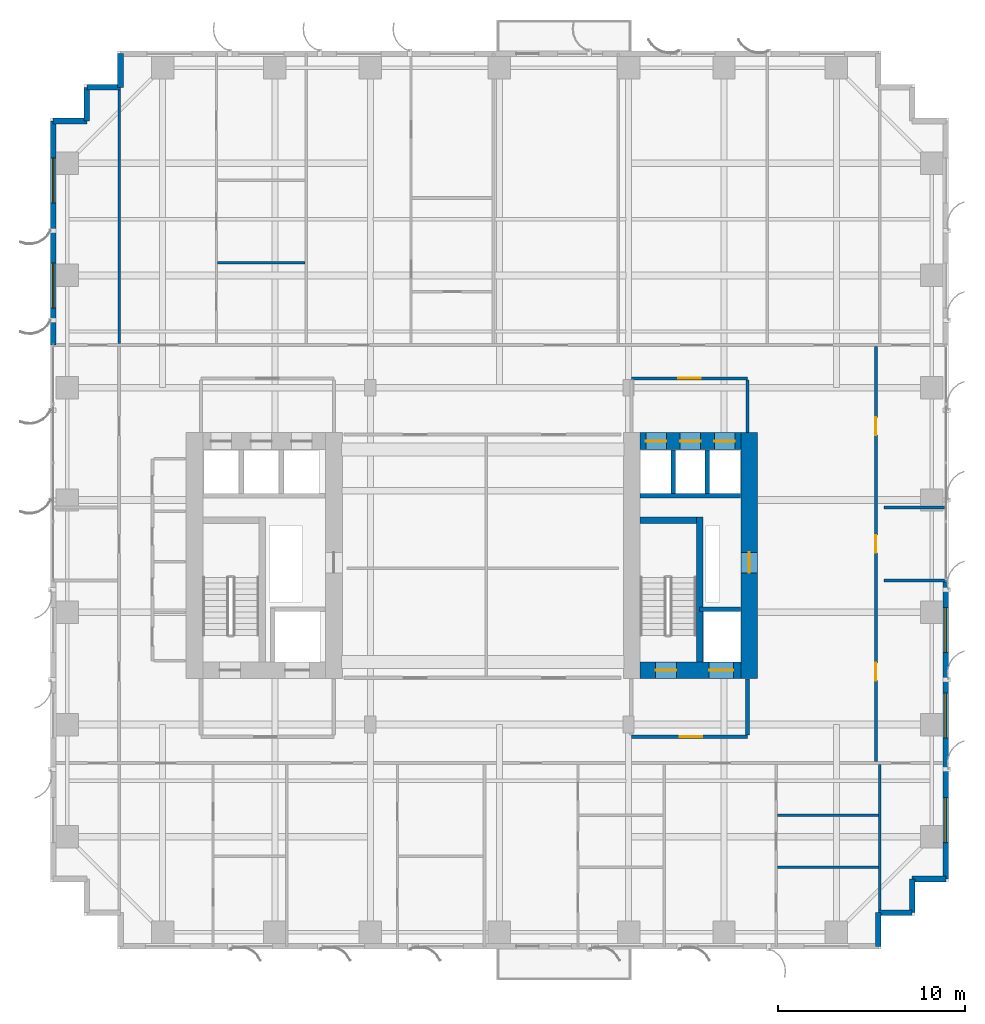
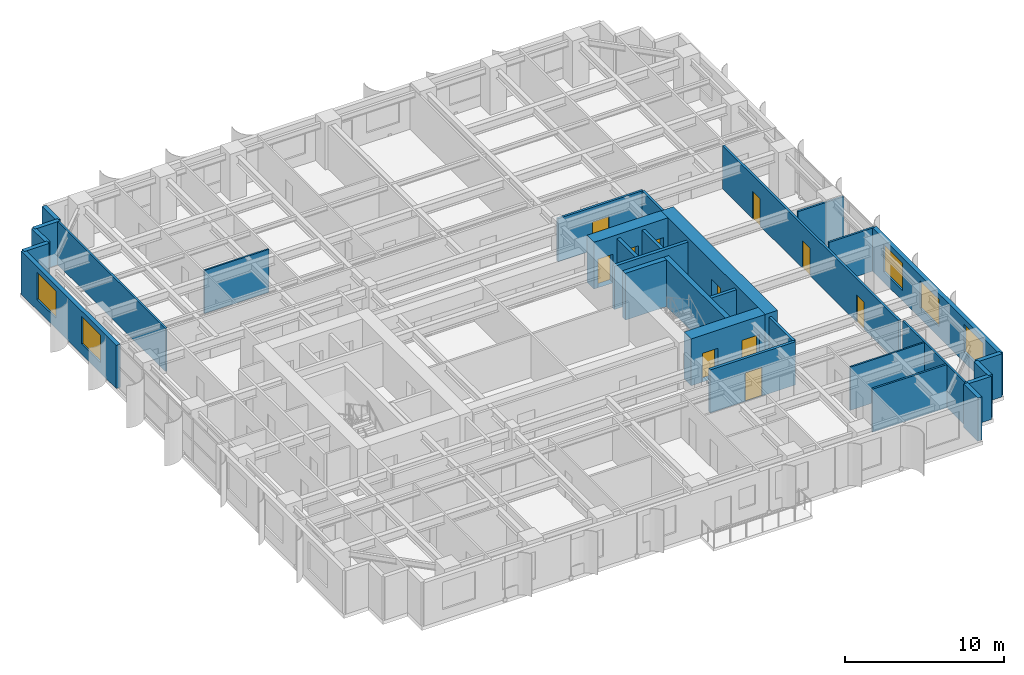
# One storey, part 11 of 17: 31 walls, 11 doors, 5 windows, 16 openings.
"""IFC4 building model written with IfcOpenShell, lengths in metres."""

from ifc_helpers import new_model, si_unit, direction, frame, frame_2d, origin, place, context, subcontext, project, spatial, rectangle, extrude, source, transform, mapped, material, layer, layer_set, type_object, element, fill, save


model = new_model("IFC4")

# Units and contexts
model_context = context("Model", 3, precision=1e-05, world=origin(), true_north=direction((0.0, 1.0)))
body_context = subcontext(model_context, "Body", "Model", "MODEL_VIEW")
ifc_project = project(units=[si_unit("LENGTHUNIT", "METRE"), si_unit("AREAUNIT", "SQUARE_METRE"), si_unit("VOLUMEUNIT", "CUBIC_METRE"), si_unit("PLANEANGLEUNIT", "RADIAN"), si_unit("MASSUNIT", "GRAM", prefix="KILO")], contexts=[model_context])

# Site, building, storey
site_placement = place(None, origin())
site = spatial("IfcSite", under=ifc_project, at=site_placement, CompositionType="ELEMENT")
building_placement = place(site_placement, origin())
building = spatial("IfcBuilding", under=site, at=building_placement, Name="Khoralis Quay Care Tower", CompositionType="ELEMENT")
storey_placement = place(building_placement, frame((0.0, 0.0, 58.5)))
storey = spatial("IfcBuildingStorey", under=building, at=storey_placement, Name="L15", CompositionType="ELEMENT", Elevation=58.5)

# Wall, opening, door
ifc_material_1 = material(Name="Gypsum plasterboard on acoustic metal stud")
ifc_layer_1 = layer(ifc_material_1, 0.199951171875)
ifc_layer_set_1 = layer_set([ifc_layer_1], Name="Gypsum plasterboard on acoustic metal stud")
wall_type_1 = type_object("IfcWallType", Name="WL-COMP-200", PredefinedType="PARTITIONING", material=ifc_layer_set_1)
wall_1_placement = place(storey_placement, frame((31.050048828125, 11.35009765625, 0.0), z_axis=(0.0, 0.0, 1.0), x_axis=(1.0, 0.0, 0.0)))
wall_1 = element("IfcWall", 1, at=wall_1_placement, inside=storey, type_object=wall_type_1, Name="L15 East Firefighting Lobby South Wall", PredefinedType="PARTITIONING", context=body_context, shape_type="SweptSolid", body=[
    extrude(rectangle(XDim=6.199951171875, YDim=0.199951171875, at=frame_2d((3.10009765625, 0.0))), origin(), (0.0, 0.0, 1.0), 3.320068359375),
])
opening_1_placement = place(wall_1_placement, frame((2.585693359375, 0.0, 0.0)))
opening_1 = element("IfcOpeningElement", 2, at=opening_1_placement, cuts=wall_1, Name="Opening FD1", PredefinedType="OPENING", context=body_context, shape_type="SweptSolid", body=[
    extrude(rectangle(XDim=1.199951171875, YDim=2.199951171875, at=frame_2d((0.60009765625, 1.10009765625))), frame((0.0, 0.10986328125, 0.0), z_axis=(0.0, -1.0, 0.0), x_axis=(1.0, 0.0, 0.0)), (0.0, 0.0, 1.0), 0.219970703125),
])
ifc_material_2 = material(Name="Fire-rated painted steel", Category="steel")
door_type_1 = type_object("IfcDoorType", Name="DR-FFL-1200X2200", OperationType="NOTDEFINED", PredefinedType="DOOR", material=ifc_material_2)
shared_shape_1 = source(origin(), body_context, "Body", "SweptSolid", [
    extrude(rectangle(XDim=1.199951171875, YDim=2.199951171875, at=frame_2d((0.60009765625, 1.10009765625))), frame((0.0, 0.02490234375, 0.0), z_axis=(0.0, -1.0, 0.0), x_axis=(1.0, 0.0, 0.0)), (0.0, 0.0, 1.0), 0.050048828125),
])
door_1_placement = place(opening_1_placement, origin())
door_1 = element("IfcDoor", 3, at=door_1_placement, inside=storey, type_object=door_type_1, Name="L15 East Firefighting Lobby Fire Door", OperationType="SINGLE_SWING_RIGHT", OverallHeight=2.199951171875, OverallWidth=1.199951171875, PredefinedType="DOOR", context=body_context, shape_type="MappedRepresentation", body=[
    mapped(shared_shape_1, transform((0.0, 0.0, 0.0), scale=1.0)),
])
fill(opening_1, door_1)

# Wall
wall_2_placement = place(storey_placement, frame((37.25, 11.445068359375, 0.0), z_axis=(0.0, 0.0, 1.0), x_axis=(0.0, 1.0, 0.0)))
element("IfcWall", 4, at=wall_2_placement, inside=storey, type_object=wall_type_1, Name="L15 East Firefighting Lobby East Wall", PredefinedType="PARTITIONING", context=body_context, shape_type="SweptSolid", body=[
    extrude(rectangle(XDim=2.98486328125, YDim=0.199951171875, at=frame_2d((1.492431640625, 0.0))), origin(), (0.0, 0.0, 1.0), 3.320068359375),
])

# Wall, opening, door
ifc_material_3 = material(Name="Concrete C80/95", Category="concrete")
ifc_layer_2 = layer(ifc_material_3, 0.89990234375)
ifc_layer_set_2 = layer_set([ifc_layer_2], Name="Concrete C80/95")
wall_type_2 = type_object("IfcWallType", Name="WL-CORE-900", PredefinedType="SHEAR", material=ifc_layer_set_2)
wall_3_placement = place(storey_placement, frame((37.35009765625, 14.449951171875, 0.0), z_axis=(0.0, 0.0, 1.0), x_axis=(0.0, 1.0, 0.0)))
wall_3 = element("IfcWall", 5, at=wall_3_placement, inside=storey, type_object=wall_type_2, Name="L15 ECORE East Shear Wall", PredefinedType="SHEAR", context=body_context, shape_type="SweptSolid", body=[
    extrude(rectangle(XDim=13.150146484375, YDim=0.89990234375, at=frame_2d((6.5751953125, 0.0))), origin(), (0.0, 0.0, 1.0), 3.60009765625),
])
opening_2_placement = place(wall_3_placement, frame((5.64990234375, 0.0, 0.0)))
opening_2 = element("IfcOpeningElement", 6, at=opening_2_placement, cuts=wall_3, Name="Opening SD1", PredefinedType="OPENING", context=body_context, shape_type="SweptSolid", body=[
    extrude(rectangle(XDim=1.10009765625, YDim=2.199951171875, at=frame_2d((0.550048828125, 1.10009765625))), frame((0.0, 0.4599609375, 0.0), z_axis=(0.0, -1.0, 0.0), x_axis=(1.0, 0.0, 0.0)), (0.0, 0.0, 1.0), 0.919921875),
])
door_type_2 = type_object("IfcDoorType", Name="DR-STAIR-1100X2200", OperationType="NOTDEFINED", PredefinedType="DOOR", material=ifc_material_2)
shared_shape_2 = source(origin(), body_context, "Body", "SweptSolid", [
    extrude(rectangle(XDim=1.10009765625, YDim=2.199951171875, at=frame_2d((0.550048828125, 1.10009765625))), frame((0.0, 0.02490234375, 0.0), z_axis=(0.0, -1.0, 0.0), x_axis=(1.0, 0.0, 0.0)), (0.0, 0.0, 1.0), 0.050048828125),
])
door_2_placement = place(opening_2_placement, frame((1.10009765625, 0.0, 0.0), z_axis=(0.0, 0.0, 1.0), x_axis=(-1.0, 0.0, 0.0)))
door_2 = element("IfcDoor", 7, at=door_2_placement, inside=storey, type_object=door_type_2, Name="L15 East MEP Riser Door", OperationType="SINGLE_SWING_RIGHT", OverallHeight=2.199951171875, OverallWidth=1.10009765625, PredefinedType="DOOR", context=body_context, shape_type="MappedRepresentation", body=[
    mapped(shared_shape_2, transform((0.0, 0.0, 0.0), scale=1.0)),
])
fill(opening_2, door_2)

# Wall, openings, doors
wall_4_placement = place(storey_placement, frame((31.52001953125, 14.89990234375, 0.0), z_axis=(0.0, 0.0, 1.0), x_axis=(1.0, 0.0, 0.0)))
wall_4 = element("IfcWall", 8, at=wall_4_placement, inside=storey, type_object=wall_type_2, Name="L15 ECORE South Shear Wall", PredefinedType="SHEAR", context=body_context, shape_type="SweptSolid", body=[
    extrude(rectangle(XDim=5.3798828125, YDim=0.89990234375, at=frame_2d((2.68994140625, 0.0))), origin(), (0.0, 0.0, 1.0), 3.60009765625),
])
opening_3_placement = place(wall_4_placement, frame((0.830078125, 0.0, 0.0)))
opening_3 = element("IfcOpeningElement", 9, at=opening_3_placement, cuts=wall_4, Name="Opening SD1", PredefinedType="OPENING", context=body_context, shape_type="SweptSolid", body=[
    extrude(rectangle(XDim=1.10009765625, YDim=2.199951171875, at=frame_2d((0.550048828125, 1.10009765625))), frame((0.0, 0.4599609375, 0.0), z_axis=(0.0, -1.0, 0.0), x_axis=(1.0, 0.0, 0.0)), (0.0, 0.0, 1.0), 0.919921875),
])
opening_4_placement = place(wall_4_placement, frame((3.679931640625, 0.0, 0.0)))
opening_4 = element("IfcOpeningElement", 10, at=opening_4_placement, cuts=wall_4, Name="Opening LD2", PredefinedType="OPENING", context=body_context, shape_type="SweptSolid", body=[
    extrude(rectangle(XDim=1.300048828125, YDim=2.199951171875, at=frame_2d((0.64990234375, 1.10009765625))), frame((0.0, 0.4599609375, 0.0), z_axis=(0.0, -1.0, 0.0), x_axis=(1.0, 0.0, 0.0)), (0.0, 0.0, 1.0), 0.919921875),
])
door_3_placement = place(opening_3_placement, origin())
door_3 = element("IfcDoor", 11, at=door_3_placement, inside=storey, type_object=door_type_2, Name="L15 Stair ST-T2 Fire Door", OperationType="SINGLE_SWING_RIGHT", OverallHeight=2.199951171875, OverallWidth=1.10009765625, PredefinedType="DOOR", context=body_context, shape_type="MappedRepresentation", body=[
    mapped(shared_shape_2, transform((0.0, 0.0, 0.0), scale=1.0)),
])
fill(opening_3, door_3)
ifc_material_4 = material(Name="Brushed stainless steel", Category="steel")
door_type_3 = type_object("IfcDoorType", Name="DR-LIFT-1300X2200", OperationType="SLIDING_TO_RIGHT", PredefinedType="DOOR", material=ifc_material_4)
shared_shape_3 = source(origin(), body_context, "Body", "SweptSolid", [
    extrude(rectangle(XDim=1.300048828125, YDim=2.199951171875, at=frame_2d((0.64990234375, 1.10009765625))), frame((0.0, 0.02490234375, 0.0), z_axis=(0.0, -1.0, 0.0), x_axis=(1.0, 0.0, 0.0)), (0.0, 0.0, 1.0), 0.050048828125),
])
door_4_placement = place(opening_4_placement, origin())
door_4 = element("IfcDoor", 12, at=door_4_placement, inside=storey, type_object=door_type_3, Name="L15 Firefighting Lift FFL-2 Landing Door", OperationType="SLIDING_TO_RIGHT", OverallHeight=2.199951171875, OverallWidth=1.300048828125, PredefinedType="DOOR", context=body_context, shape_type="MappedRepresentation", body=[
    mapped(shared_shape_3, transform((0.0, 0.0, 0.0), scale=1.0)),
])
fill(opening_4, door_4)

wall_5_placement = place(storey_placement, frame((31.52001953125, 27.14990234375, 0.0), z_axis=(0.0, 0.0, 1.0), x_axis=(1.0, 0.0, 0.0)))
wall_5 = element("IfcWall", 13, at=wall_5_placement, inside=storey, type_object=wall_type_2, Name="L15 ECORE North Shear Wall", PredefinedType="SHEAR", context=body_context, shape_type="SweptSolid", body=[
    extrude(rectangle(XDim=5.3798828125, YDim=0.89990234375, at=frame_2d((2.68994140625, 0.0))), origin(), (0.0, 0.0, 1.0), 3.60009765625),
])
opening_5_placement = place(wall_5_placement, frame((0.300048828125, 0.0, 0.0)))
opening_5 = element("IfcOpeningElement", 14, at=opening_5_placement, cuts=wall_5, Name="Opening LD1", PredefinedType="OPENING", context=body_context, shape_type="SweptSolid", body=[
    extrude(rectangle(XDim=1.10009765625, YDim=2.199951171875, at=frame_2d((0.550048828125, 1.10009765625))), frame((0.0, 0.4599609375, 0.0), z_axis=(0.0, -1.0, 0.0), x_axis=(1.0, 0.0, 0.0)), (0.0, 0.0, 1.0), 0.919921875),
])
opening_6_placement = place(wall_5_placement, frame((2.1298828125, 0.0, 0.0)))
opening_6 = element("IfcOpeningElement", 15, at=opening_6_placement, cuts=wall_5, Name="Opening LD1", PredefinedType="OPENING", context=body_context, shape_type="SweptSolid", body=[
    extrude(rectangle(XDim=1.10009765625, YDim=2.199951171875, at=frame_2d((0.550048828125, 1.10009765625))), frame((0.0, 0.4599609375, 0.0), z_axis=(0.0, -1.0, 0.0), x_axis=(1.0, 0.0, 0.0)), (0.0, 0.0, 1.0), 0.919921875),
])
opening_7_placement = place(wall_5_placement, frame((3.9599609375, 0.0, 0.0)))
opening_7 = element("IfcOpeningElement", 16, at=opening_7_placement, cuts=wall_5, Name="Opening LD1", PredefinedType="OPENING", context=body_context, shape_type="SweptSolid", body=[
    extrude(rectangle(XDim=1.10009765625, YDim=2.199951171875, at=frame_2d((0.550048828125, 1.10009765625))), frame((0.0, 0.4599609375, 0.0), z_axis=(0.0, -1.0, 0.0), x_axis=(1.0, 0.0, 0.0)), (0.0, 0.0, 1.0), 0.919921875),
])
door_type_4 = type_object("IfcDoorType", Name="DR-LIFT-1100X2200", OperationType="SLIDING_TO_LEFT", PredefinedType="DOOR", material=ifc_material_4)
shared_shape_4 = source(origin(), body_context, "Body", "SweptSolid", [
    extrude(rectangle(XDim=1.10009765625, YDim=2.199951171875, at=frame_2d((0.550048828125, 1.10009765625))), frame((0.0, 0.02490234375, 0.0), z_axis=(0.0, -1.0, 0.0), x_axis=(1.0, 0.0, 0.0)), (0.0, 0.0, 1.0), 0.050048828125),
])
door_5_placement = place(opening_5_placement, origin())
door_5 = element("IfcDoor", 17, at=door_5_placement, inside=storey, type_object=door_type_4, Name="L15 Lift PLL2 Landing Door", OperationType="SLIDING_TO_LEFT", OverallHeight=2.199951171875, OverallWidth=1.10009765625, PredefinedType="DOOR", context=body_context, shape_type="MappedRepresentation", body=[
    mapped(shared_shape_4, transform((0.0, 0.0, 0.0), scale=1.0)),
])
fill(opening_5, door_5)
door_6_placement = place(opening_6_placement, origin())
door_6 = element("IfcDoor", 18, at=door_6_placement, inside=storey, type_object=door_type_4, Name="L15 Lift PLM2 Landing Door", OperationType="SLIDING_TO_LEFT", OverallHeight=2.199951171875, OverallWidth=1.10009765625, PredefinedType="DOOR", context=body_context, shape_type="MappedRepresentation", body=[
    mapped(shared_shape_4, transform((0.0, 0.0, 0.0), scale=1.0)),
])
fill(opening_6, door_6)
door_7_placement = place(opening_7_placement, origin())
door_7 = element("IfcDoor", 19, at=door_7_placement, inside=storey, type_object=door_type_4, Name="L15 Lift PLH2 Landing Door", OperationType="SLIDING_TO_LEFT", OverallHeight=2.199951171875, OverallWidth=1.10009765625, PredefinedType="DOOR", context=body_context, shape_type="MappedRepresentation", body=[
    mapped(shared_shape_4, transform((0.0, 0.0, 0.0), scale=1.0)),
])
fill(opening_7, door_7)

# Wall, opening, door
ifc_layer_3 = layer(ifc_material_1, 0.1650390625)
ifc_layer_set_3 = layer_set([ifc_layer_3], Name="Gypsum plasterboard on acoustic metal stud")
wall_type_3 = type_object("IfcWallType", Name="WL-CORR-165", PredefinedType="PARTITIONING", material=ifc_layer_set_3)
wall_6_placement = place(storey_placement, frame((31.050048828125, 30.5, 0.0), z_axis=(0.0, 0.0, 1.0), x_axis=(1.0, 0.0, 0.0)))
wall_6 = element("IfcWall", 20, at=wall_6_placement, inside=storey, type_object=wall_type_3, Name="L15 East Lift Lobby North Wall", PredefinedType="PARTITIONING", context=body_context, shape_type="SweptSolid", body=[
    extrude(rectangle(XDim=6.199951171875, YDim=0.1650390625, at=frame_2d((3.10009765625, 0.0))), origin(), (0.0, 0.0, 1.0), 3.320068359375),
])
opening_8_placement = place(wall_6_placement, frame((2.5, 0.0, 0.0)))
opening_8 = element("IfcOpeningElement", 21, at=opening_8_placement, cuts=wall_6, Name="Opening FD1", PredefinedType="OPENING", context=body_context, shape_type="SweptSolid", body=[
    extrude(rectangle(XDim=1.199951171875, YDim=2.199951171875, at=frame_2d((0.60009765625, 1.10009765625))), frame((0.0, 0.092529296875, 0.0), z_axis=(0.0, -1.0, 0.0), x_axis=(1.0, 0.0, 0.0)), (0.0, 0.0, 1.0), 0.18505859375),
])
door_8_placement = place(opening_8_placement, origin())
door_8 = element("IfcDoor", 22, at=door_8_placement, inside=storey, type_object=door_type_1, Name="L15 East Lift Lobby Double Door", OperationType="DOUBLE_DOOR_SINGLE_SWING", OverallHeight=2.199951171875, OverallWidth=1.199951171875, PredefinedType="DOOR", context=body_context, shape_type="MappedRepresentation", body=[
    mapped(shared_shape_1, transform((0.0, 0.0, 0.0), scale=1.0)),
])
fill(opening_8, door_8)

# Wall
wall_7_placement = place(storey_placement, frame((37.25, 27.6201171875, 0.0), z_axis=(0.0, 0.0, 1.0), x_axis=(0.0, 1.0, 0.0)))
element("IfcWall", 23, at=wall_7_placement, inside=storey, type_object=wall_type_3, Name="L15 East Lift Lobby East Wall", PredefinedType="PARTITIONING", context=body_context, shape_type="SweptSolid", body=[
    extrude(rectangle(XDim=2.802490234375, YDim=0.1650390625, at=frame_2d((1.4013671875, 0.0))), origin(), (0.0, 0.0, 1.0), 3.320068359375),
])

# Wall, openings, doors
wall_8_placement = place(storey_placement, frame((44.1201171875, 10.017578125, 0.0), z_axis=(0.0, 0.0, 1.0), x_axis=(0.0, 1.0, 0.0)))
wall_8 = element("IfcWall", 24, at=wall_8_placement, inside=storey, type_object=wall_type_3, Name="L15 East Loop Corridor Wall", PredefinedType="PARTITIONING", context=body_context, shape_type="SweptSolid", body=[
    extrude(rectangle(XDim=22.184814453125, YDim=0.1650390625, at=frame_2d((11.09228515625, 0.0))), origin(), (0.0, 0.0, 1.0), 3.320068359375),
])
opening_9_placement = place(wall_8_placement, frame((4.327392578125, 0.0, 0.0)))
opening_9 = element("IfcOpeningElement", 25, at=opening_9_placement, cuts=wall_8, Name="Opening ID1", PredefinedType="OPENING", context=body_context, shape_type="SweptSolid", body=[
    extrude(rectangle(XDim=0.949951171875, YDim=2.10009765625, at=frame_2d((0.47509765625, 1.050048828125))), frame((0.0, 0.092529296875, 0.0), z_axis=(0.0, -1.0, 0.0), x_axis=(1.0, 0.0, 0.0)), (0.0, 0.0, 1.0), 0.18505859375),
])
opening_10_placement = place(wall_8_placement, frame((11.157470703125, 0.0, 0.0)))
opening_10 = element("IfcOpeningElement", 26, at=opening_10_placement, cuts=wall_8, Name="Opening ID1", PredefinedType="OPENING", context=body_context, shape_type="SweptSolid", body=[
    extrude(rectangle(XDim=0.949951171875, YDim=2.10009765625, at=frame_2d((0.47509765625, 1.050048828125))), frame((0.0, 0.092529296875, 0.0), z_axis=(0.0, -1.0, 0.0), x_axis=(1.0, 0.0, 0.0)), (0.0, 0.0, 1.0), 0.18505859375),
])
opening_11_placement = place(wall_8_placement, frame((17.447509765625, 0.0, 0.0)))
opening_11 = element("IfcOpeningElement", 27, at=opening_11_placement, cuts=wall_8, Name="Opening ID1", PredefinedType="OPENING", context=body_context, shape_type="SweptSolid", body=[
    extrude(rectangle(XDim=0.949951171875, YDim=2.10009765625, at=frame_2d((0.47509765625, 1.050048828125))), frame((0.0, 0.092529296875, 0.0), z_axis=(0.0, -1.0, 0.0), x_axis=(1.0, 0.0, 0.0)), (0.0, 0.0, 1.0), 0.18505859375),
])
ifc_material_5 = material(Name="Acoustic hardwood timber", Category="wood")
door_type_5 = type_object("IfcDoorType", Name="DR-ROOM-950X2100", OperationType="NOTDEFINED", PredefinedType="DOOR", material=ifc_material_5)
shared_shape_5 = source(origin(), body_context, "Body", "SweptSolid", [
    extrude(rectangle(XDim=0.949951171875, YDim=2.10009765625, at=frame_2d((0.47509765625, 1.050048828125))), frame((0.0, 0.02490234375, 0.0), z_axis=(0.0, -1.0, 0.0), x_axis=(1.0, 0.0, 0.0)), (0.0, 0.0, 1.0), 0.050048828125),
])
door_9_placement = place(opening_9_placement, frame((0.949951171875, 0.0, 0.0), z_axis=(0.0, 0.0, 1.0), x_axis=(-1.0, 0.0, 0.0)))
door_9 = element("IfcDoor", 28, at=door_9_placement, inside=storey, type_object=door_type_5, Name="L15 Therapy Consultation Room Door", OperationType="SINGLE_SWING_LEFT", OverallHeight=2.10009765625, OverallWidth=0.949951171875, PredefinedType="DOOR", context=body_context, shape_type="MappedRepresentation", body=[
    mapped(shared_shape_5, transform((0.0, 0.0, 0.0), scale=1.0)),
])
fill(opening_9, door_9)
door_10_placement = place(opening_10_placement, frame((0.949951171875, 0.0, 0.0), z_axis=(0.0, 0.0, 1.0), x_axis=(-1.0, 0.0, 0.0)))
door_10 = element("IfcDoor", 29, at=door_10_placement, inside=storey, type_object=door_type_5, Name="L15 Assisted Activity Lounge Door", OperationType="SINGLE_SWING_RIGHT", OverallHeight=2.10009765625, OverallWidth=0.949951171875, PredefinedType="DOOR", context=body_context, shape_type="MappedRepresentation", body=[
    mapped(shared_shape_5, transform((0.0, 0.0, 0.0), scale=1.0)),
])
fill(opening_10, door_10)
door_11_placement = place(opening_11_placement, frame((0.949951171875, 0.0, 0.0), z_axis=(0.0, 0.0, 1.0), x_axis=(-1.0, 0.0, 0.0)))
door_11 = element("IfcDoor", 30, at=door_11_placement, inside=storey, type_object=door_type_5, Name="L15 Nurse Charting Office Door", OperationType="SINGLE_SWING_LEFT", OverallHeight=2.10009765625, OverallWidth=0.949951171875, PredefinedType="DOOR", context=body_context, shape_type="MappedRepresentation", body=[
    mapped(shared_shape_5, transform((0.0, 0.0, 0.0), scale=1.0)),
])
fill(opening_11, door_11)

# Walls
ifc_material_6 = material(Name="Precast concrete C45/55", Category="concrete")
ifc_layer_4 = layer(ifc_material_6, 0.300048828125)
ifc_layer_set_4 = layer_set([ifc_layer_4], Name="Precast concrete C45/55")
wall_type_4 = type_object("IfcWallType", Name="WL-EXT-REF-300", PredefinedType="SOLIDWALL", material=ifc_layer_set_4)
for number, where, z_axis, x_axis, name in (
    (31, (44.25, 0.14990234375, 0.0), (0.0, 0.0, 1.0), (0.0, 1.0, 0.0), "L15 External Facade Wall WL-EXT-L15-P1-C1"),
    (32, (44.25, 1.949951171875, 0.0), (0.0, 0.0, 1.0), (1.0, 0.0, 0.0), "L15 External Facade Wall WL-EXT-L15-P1-C2"),
    (33, (46.050048828125, 1.949951171875, 0.0), (0.0, 0.0, 1.0), (0.0, 1.0, 0.0), "L15 External Facade Wall WL-EXT-L15-P1-C3"),
    (34, (46.050048828125, 3.75, 0.0), (0.0, 0.0, 1.0), (1.0, 0.0, 0.0), "L15 External Facade Wall WL-EXT-L15-P1-C4"),
):
    element("IfcWall", number, at=place(storey_placement, frame(where, z_axis=z_axis, x_axis=x_axis)), inside=storey, type_object=wall_type_4, Name=name, PredefinedType="SOLIDWALL", context=body_context, shape_type="SweptSolid", body=[
        extrude(rectangle(XDim=1.800048828125, YDim=0.300048828125, at=frame_2d((0.89990234375, 0.0))), origin(), (0.0, 0.0, 1.0), 3.320068359375),
    ])

# Wall, openings, windows
wall_9_placement = place(storey_placement, frame((47.85009765625, 3.75, 0.0), z_axis=(0.0, 0.0, 1.0), x_axis=(0.0, 1.0, 0.0)))
wall_9 = element("IfcWall", 35, at=wall_9_placement, inside=storey, type_object=wall_type_4, Name="L15 External Facade Wall WL-EXT-L15-P1-E5A", PredefinedType="SOLIDWALL", context=body_context, shape_type="SweptSolid", body=[
    extrude(rectangle(XDim=15.949951171875, YDim=0.300048828125, at=frame_2d((7.97509765625, 0.0))), origin(), (0.0, 0.0, 1.0), 3.320068359375),
])
opening_12_placement = place(wall_9_placement, frame((1.945068359375, 0.0, 0.800048828125)))
opening_12 = element("IfcOpeningElement", 36, at=opening_12_placement, cuts=wall_9, Name="Opening W1", PredefinedType="OPENING", context=body_context, shape_type="SweptSolid", body=[
    extrude(rectangle(XDim=2.39990234375, YDim=2.10009765625, at=frame_2d((1.199951171875, 1.050048828125))), frame((0.0, 0.16015625, 0.0), z_axis=(0.0, -1.0, 0.0), x_axis=(1.0, 0.0, 0.0)), (0.0, 0.0, 1.0), 0.320068359375),
])
opening_13_placement = place(wall_9_placement, frame((7.534912109375, 0.0, 0.800048828125)))
opening_13 = element("IfcOpeningElement", 37, at=opening_13_placement, cuts=wall_9, Name="Opening W1", PredefinedType="OPENING", context=body_context, shape_type="SweptSolid", body=[
    extrude(rectangle(XDim=2.39990234375, YDim=2.10009765625, at=frame_2d((1.199951171875, 1.050048828125))), frame((0.0, 0.16015625, 0.0), z_axis=(0.0, -1.0, 0.0), x_axis=(1.0, 0.0, 0.0)), (0.0, 0.0, 1.0), 0.320068359375),
])
opening_14_placement = place(wall_9_placement, frame((12.10498046875, 0.0, 0.800048828125)))
opening_14 = element("IfcOpeningElement", 38, at=opening_14_placement, cuts=wall_9, Name="Opening W1", PredefinedType="OPENING", context=body_context, shape_type="SweptSolid", body=[
    extrude(rectangle(XDim=2.39990234375, YDim=2.10009765625, at=frame_2d((1.199951171875, 1.050048828125))), frame((0.0, 0.16015625, 0.0), z_axis=(0.0, -1.0, 0.0), x_axis=(1.0, 0.0, 0.0)), (0.0, 0.0, 1.0), 0.320068359375),
])
ifc_material_7 = material(Name="Low-E solar-control double glazing", Category="glass")
window_type = type_object("IfcWindowType", Name="WN-POD-2400X2100", PartitioningType="SINGLE_PANEL", PredefinedType="WINDOW", material=ifc_material_7)
shared_shape_6 = source(origin(), body_context, "Body", "SweptSolid", [
    extrude(rectangle(XDim=2.39990234375, YDim=2.10009765625, at=frame_2d((1.199951171875, 1.050048828125))), frame((0.0, 0.030029296875, 0.0), z_axis=(0.0, -1.0, 0.0), x_axis=(1.0, 0.0, 0.0)), (0.0, 0.0, 1.0), 0.06005859375),
])
window_1_placement = place(opening_12_placement, origin())
window_1 = element("IfcWindow", 39, at=window_1_placement, inside=storey, type_object=window_type, Name="WN-L15-P1-E5A Facade Window 01", OverallHeight=2.10009765625, OverallWidth=2.39990234375, PartitioningType="SINGLE_PANEL", PredefinedType="WINDOW", context=body_context, shape_type="MappedRepresentation", body=[
    mapped(shared_shape_6, transform((0.0, 0.0, 0.0), scale=1.0)),
])
fill(opening_12, window_1)
window_2_placement = place(opening_13_placement, origin())
window_2 = element("IfcWindow", 40, at=window_2_placement, inside=storey, type_object=window_type, Name="WN-L15-P1-E5A Facade Window 02", OverallHeight=2.10009765625, OverallWidth=2.39990234375, PartitioningType="SINGLE_PANEL", PredefinedType="WINDOW", context=body_context, shape_type="MappedRepresentation", body=[
    mapped(shared_shape_6, transform((0.0, 0.0, 0.0), scale=1.0)),
])
fill(opening_13, window_2)
window_3_placement = place(opening_14_placement, origin())
window_3 = element("IfcWindow", 41, at=window_3_placement, inside=storey, type_object=window_type, Name="WN-L15-P1-E5A Facade Window 03", OverallHeight=2.10009765625, OverallWidth=2.39990234375, PartitioningType="SINGLE_PANEL", PredefinedType="WINDOW", context=body_context, shape_type="MappedRepresentation", body=[
    mapped(shared_shape_6, transform((0.0, 0.0, 0.0), scale=1.0)),
])
fill(opening_14, window_3)

# Walls
for number, where, z_axis, x_axis, name in (
    (42, (3.75, 47.85009765625, 0.0), (0.0, 0.0, 1.0), (0.0, -1.0, 0.0), "L15 External Facade Wall WL-EXT-L15-P1-C11"),
    (43, (3.75, 46.050048828125, 0.0), (0.0, 0.0, 1.0), (-1.0, 0.0, 0.0), "L15 External Facade Wall WL-EXT-L15-P1-C12"),
    (44, (1.949951171875, 46.050048828125, 0.0), (0.0, 0.0, 1.0), (0.0, -1.0, 0.0), "L15 External Facade Wall WL-EXT-L15-P1-C13"),
    (45, (1.949951171875, 44.25, 0.0), (0.0, 0.0, 1.0), (-1.0, 0.0, 0.0), "L15 External Facade Wall WL-EXT-L15-P1-C14"),
):
    element("IfcWall", number, at=place(storey_placement, frame(where, z_axis=z_axis, x_axis=x_axis)), inside=storey, type_object=wall_type_4, Name=name, PredefinedType="SOLIDWALL", context=body_context, shape_type="SweptSolid", body=[
        extrude(rectangle(XDim=1.800048828125, YDim=0.300048828125, at=frame_2d((0.89990234375, 0.0))), origin(), (0.0, 0.0, 1.0), 3.320068359375),
    ])

# Wall, openings, windows
wall_10_placement = place(storey_placement, frame((0.14990234375, 44.25, 0.0), z_axis=(0.0, 0.0, 1.0), x_axis=(0.0, -1.0, 0.0)))
wall_10 = element("IfcWall", 46, at=wall_10_placement, inside=storey, type_object=wall_type_4, Name="L15 External Facade Wall WL-EXT-L15-P1-E15A", PredefinedType="SOLIDWALL", context=body_context, shape_type="SweptSolid", body=[
    extrude(rectangle(XDim=11.969970703125, YDim=0.300048828125, at=frame_2d((5.98486328125, 0.0))), origin(), (0.0, 0.0, 1.0), 3.320068359375),
])
opening_15_placement = place(wall_10_placement, frame((1.972412109375, 0.0, 0.800048828125)))
opening_15 = element("IfcOpeningElement", 47, at=opening_15_placement, cuts=wall_10, Name="Opening W1", PredefinedType="OPENING", context=body_context, shape_type="SweptSolid", body=[
    extrude(rectangle(XDim=2.39990234375, YDim=2.10009765625, at=frame_2d((1.199951171875, 1.050048828125))), frame((0.0, 0.16015625, 0.0), z_axis=(0.0, -1.0, 0.0), x_axis=(1.0, 0.0, 0.0)), (0.0, 0.0, 1.0), 0.320068359375),
])
opening_16_placement = place(wall_10_placement, frame((7.597412109375, 0.0, 0.800048828125)))
opening_16 = element("IfcOpeningElement", 48, at=opening_16_placement, cuts=wall_10, Name="Opening W1", PredefinedType="OPENING", context=body_context, shape_type="SweptSolid", body=[
    extrude(rectangle(XDim=2.39990234375, YDim=2.10009765625, at=frame_2d((1.199951171875, 1.050048828125))), frame((0.0, 0.16015625, 0.0), z_axis=(0.0, -1.0, 0.0), x_axis=(1.0, 0.0, 0.0)), (0.0, 0.0, 1.0), 0.320068359375),
])
window_4_placement = place(opening_15_placement, origin())
window_4 = element("IfcWindow", 49, at=window_4_placement, inside=storey, type_object=window_type, Name="WN-L15-P1-E15A Facade Window 01", OverallHeight=2.10009765625, OverallWidth=2.39990234375, PartitioningType="SINGLE_PANEL", PredefinedType="WINDOW", context=body_context, shape_type="MappedRepresentation", body=[
    mapped(shared_shape_6, transform((0.0, 0.0, 0.0), scale=1.0)),
])
fill(opening_15, window_4)
window_5_placement = place(opening_16_placement, origin())
window_5 = element("IfcWindow", 50, at=window_5_placement, inside=storey, type_object=window_type, Name="WN-L15-P1-E15A Facade Window 02", OverallHeight=2.10009765625, OverallWidth=2.39990234375, PartitioningType="SINGLE_PANEL", PredefinedType="WINDOW", context=body_context, shape_type="MappedRepresentation", body=[
    mapped(shared_shape_6, transform((0.0, 0.0, 0.0), scale=1.0)),
])
fill(opening_16, window_5)

# Walls
ifc_layer_5 = layer(ifc_material_1, 0.114990234375)
ifc_layer_set_5 = layer_set([ifc_layer_5], Name="Gypsum plasterboard on acoustic metal stud")
wall_type_5 = type_object("IfcWallType", Name="WL-PART-115", PredefinedType="PARTITIONING", material=ifc_layer_set_5)
wall_11_placement = place(storey_placement, frame((38.847412109375, 7.156982421875, 0.0), z_axis=(0.0, 0.0, 1.0), x_axis=(1.0, 0.0, 0.0)))
element("IfcWall", 51, at=wall_11_placement, inside=storey, type_object=wall_type_5, Name="L15 Unit 3 Kitchen Wall", PredefinedType="PARTITIONING", context=body_context, shape_type="SweptSolid", body=[
    extrude(rectangle(XDim=5.407470703125, YDim=0.114990234375, at=frame_2d((2.70361328125, 0.0))), origin(), (0.0, 0.0, 1.0), 3.320068359375),
])
wall_12_placement = place(storey_placement, frame((8.9326171875, 36.680908203125, 0.0), z_axis=(0.0, 0.0, 1.0), x_axis=(1.0, 0.0, 0.0)))
element("IfcWall", 52, at=wall_12_placement, inside=storey, type_object=wall_type_5, Name="L15 Unit 0 Kitchen Wall", PredefinedType="PARTITIONING", context=body_context, shape_type="SweptSolid", body=[
    extrude(rectangle(XDim=4.682373046875, YDim=0.114990234375, at=frame_2d((2.34130859375, 0.0))), origin(), (0.0, 0.0, 1.0), 3.320068359375),
])
ifc_material_8 = material(Name="Moisture-resistant gypsum and ceramic tile")
ifc_layer_6 = layer(ifc_material_8, 0.280029296875)
ifc_layer_set_6 = layer_set([ifc_layer_6], Name="Moisture-resistant gypsum and ceramic tile")
wall_type_6 = type_object("IfcWallType", Name="WL-PLUMB-280", PredefinedType="PLUMBINGWALL", material=ifc_layer_set_6)
wall_13_placement = place(storey_placement, frame((38.847412109375, 4.3740234375, 0.0), z_axis=(0.0, 0.0, 1.0), x_axis=(1.0, 0.0, 0.0)))
element("IfcWall", 53, at=wall_13_placement, inside=storey, type_object=wall_type_6, Name="L15 Unit 3 Wet Wall", PredefinedType="PLUMBINGWALL", context=body_context, shape_type="SweptSolid", body=[
    extrude(rectangle(XDim=5.407470703125, YDim=0.139892578125, at=frame_2d((2.70361328125, 0.0))), origin(), (0.0, 0.0, 1.0), 3.320068359375),
])
ifc_material_9 = material(Name="Concrete C40/50", Category="concrete")
ifc_layer_7 = layer(ifc_material_9, 0.35009765625)
ifc_layer_set_7 = layer_set([ifc_layer_7], Name="Concrete C40/50")
wall_type_7 = type_object("IfcWallType", Name="WL-SC-CORE-350", PredefinedType="SHEAR", material=ifc_layer_set_7)
wall_14_placement = place(storey_placement, frame((34.695068359375, 15.35009765625, 0.0), z_axis=(0.0, 0.0, 1.0), x_axis=(0.0, 1.0, 0.0)))
element("IfcWall", 54, at=wall_14_placement, inside=storey, type_object=wall_type_7, Name="L15 Stair ST-T2 Shear Baffle Wall East", PredefinedType="SHEAR", context=body_context, shape_type="SweptSolid", body=[
    extrude(rectangle(XDim=7.75, YDim=0.35009765625, at=frame_2d((3.875, 0.0))), origin(), (0.0, 0.0, 1.0), 3.60009765625),
])
wall_15_placement = place(storey_placement, frame((31.52001953125, 22.925048828125, 0.0), z_axis=(0.0, 0.0, 1.0), x_axis=(1.0, 0.0, 0.0)))
element("IfcWall", 55, at=wall_15_placement, inside=storey, type_object=wall_type_7, Name="L15 Stair ST-T2 Shear Baffle Wall North", PredefinedType="SHEAR", context=body_context, shape_type="SweptSolid", body=[
    extrude(rectangle(XDim=3.0, YDim=0.35009765625, at=frame_2d((1.5, 0.0))), origin(), (0.0, 0.0, 1.0), 3.60009765625),
])
ifc_layer_8 = layer(ifc_material_1, 0.239990234375)
ifc_layer_set_8 = layer_set([ifc_layer_8], Name="Gypsum plasterboard on acoustic metal stud")
wall_type_8 = type_object("IfcWallType", Name="WL-SHAFT-240", PredefinedType="PARTITIONING", material=ifc_layer_set_8)
wall_16_placement = place(storey_placement, frame((34.679931640625, 18.169921875, 0.0), z_axis=(0.0, 0.0, 1.0), x_axis=(1.0, 0.0, 0.0)))
element("IfcWall", 56, at=wall_16_placement, inside=storey, type_object=wall_type_8, Name="L15 FFL-2 Shaft Wall North", PredefinedType="PARTITIONING", context=body_context, shape_type="SweptSolid", body=[
    extrude(rectangle(XDim=2.199951171875, YDim=0.239990234375, at=frame_2d((1.10009765625, 0.0))), origin(), (0.0, 0.0, 1.0), 3.320068359375),
])
wall_17_placement = place(storey_placement, frame((31.52001953125, 24.22998046875, 0.0), z_axis=(0.0, 0.0, 1.0), x_axis=(1.0, 0.0, 0.0)))
element("IfcWall", 57, at=wall_17_placement, inside=storey, type_object=wall_type_8, Name="L15 East Passenger Shaft South Wall", PredefinedType="PARTITIONING", context=body_context, shape_type="SweptSolid", body=[
    extrude(rectangle(XDim=5.35986328125, YDim=0.239990234375, at=frame_2d((2.679931640625, 0.0))), origin(), (0.0, 0.0, 1.0), 3.320068359375),
])
for number, where, z_axis, x_axis, name in (
    (58, (33.2900390625, 24.344970703125, 0.0), (0.0, 0.0, 1.0), (0.0, 1.0, 0.0), "L15 East Shaft Divider 1"),
    (59, (35.110107421875, 24.344970703125, 0.0), (0.0, 0.0, 1.0), (0.0, 1.0, 0.0), "L15 East Shaft Divider 2"),
):
    element("IfcWall", number, at=place(storey_placement, frame(where, z_axis=z_axis, x_axis=x_axis)), inside=storey, type_object=wall_type_8, Name=name, PredefinedType="PARTITIONING", context=body_context, shape_type="SweptSolid", body=[
        extrude(rectangle(XDim=2.3349609375, YDim=0.239990234375, at=frame_2d((1.16748046875, 0.0))), origin(), (0.0, 0.0, 1.0), 3.320068359375),
    ])
ifc_layer_9 = layer(ifc_material_1, 0.139892578125)
ifc_layer_set_9 = layer_set([ifc_layer_9], Name="Gypsum plasterboard on acoustic metal stud")
wall_type_9 = type_object("IfcWallType", Name="WL-UNIT-140", PredefinedType="PARTITIONING", material=ifc_layer_set_9)
for number, where, z_axis, x_axis, name in (
    (60, (44.5400390625, 19.699951171875, 0.0), (0.0, 0.0, 1.0), (1.0, 0.0, 0.0), "L15 EE Divider 1"),
    (61, (44.5400390625, 23.60009765625, 0.0), (0.0, 0.0, 1.0), (1.0, 0.0, 0.0), "L15 EE Divider 2"),
):
    element("IfcWall", number, at=place(storey_placement, frame(where, z_axis=z_axis, x_axis=x_axis)), inside=storey, type_object=wall_type_9, Name=name, PredefinedType="PARTITIONING", context=body_context, shape_type="SweptSolid", body=[
        extrude(rectangle(XDim=3.31494140625, YDim=0.139892578125, at=frame_2d((1.657470703125, 0.0))), origin(), (0.0, 0.0, 1.0), 3.320068359375),
    ])
wall_18_placement = place(storey_placement, frame((44.320068359375, 1.945068359375, 0.0), z_axis=(0.0, 0.0, 1.0), x_axis=(0.0, 1.0, 0.0)))
element("IfcWall", 62, at=wall_18_placement, inside=storey, type_object=wall_type_9, Name="L15 SB Demising Wall 4", PredefinedType="PARTITIONING", context=body_context, shape_type="SweptSolid", body=[
    extrude(rectangle(XDim=7.91748046875, YDim=0.139892578125, at=frame_2d((3.958740234375, 0.0))), origin(), (0.0, 0.0, 1.0), 3.320068359375),
])
wall_19_placement = place(storey_placement, frame((3.679931640625, 32.357421875, 0.0), z_axis=(0.0, 0.0, 1.0), x_axis=(0.0, 1.0, 0.0)))
element("IfcWall", 63, at=wall_19_placement, inside=storey, type_object=wall_type_9, Name="L15 NB Demising Wall 0", PredefinedType="PARTITIONING", context=body_context, shape_type="SweptSolid", body=[
    extrude(rectangle(XDim=13.697509765625, YDim=0.139892578125, at=frame_2d((6.8486328125, 0.0))), origin(), (0.0, 0.0, 1.0), 3.320068359375),
])

save(model, "model.ifc")
